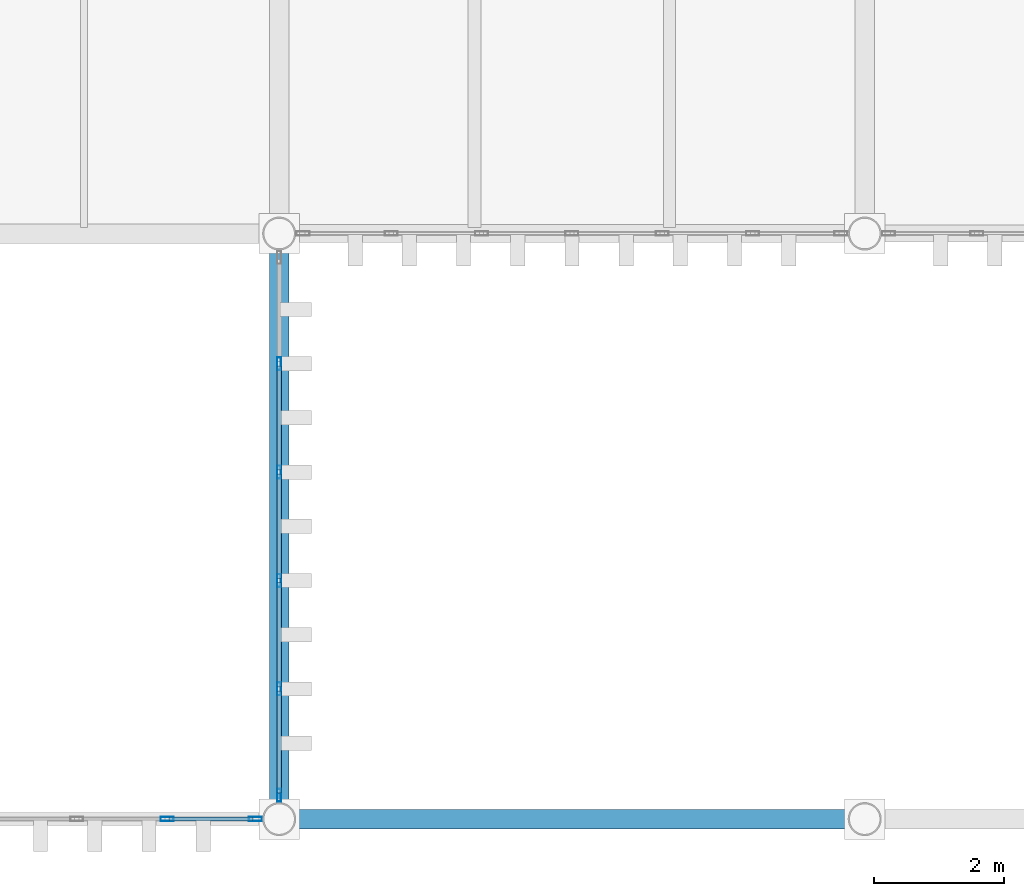
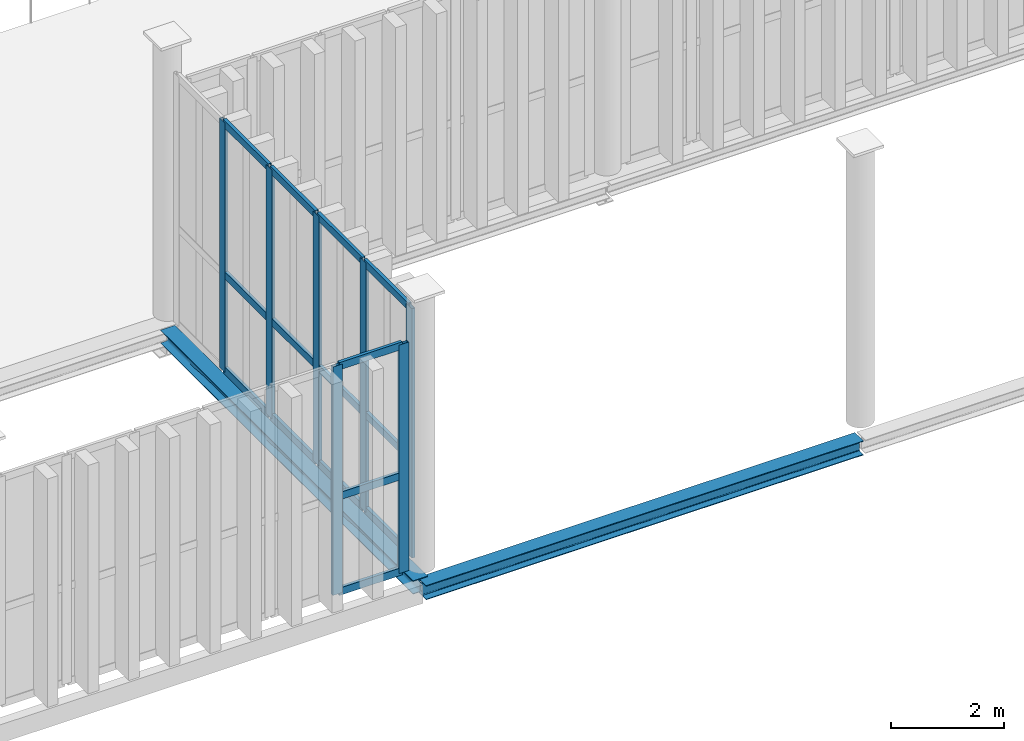
# One storey, part 30 of 211: 22 members, 2 beams, 2 elements without a shape of their own.
"""IFC4 building model written with IfcOpenShell, lengths in metres."""

from ifc_helpers import new_model, si_unit, direction, frame, origin, origin_2d, place, context, subcontext, project, spatial, hollow_rectangle, i_section, extrude, material, layer, layer_set, material_profile, profile_set, type_object, element, aggregate, save


model = new_model("IFC4")

# Units and contexts
model_context = context("Model", 3, precision=1e-05, world=origin(), true_north=direction((0.0, 1.0)))
body_context = subcontext(model_context, "Body", "Model", "MODEL_VIEW")
ifc_project = project(units=[si_unit("LENGTHUNIT", "METRE"), si_unit("AREAUNIT", "SQUARE_METRE"), si_unit("VOLUMEUNIT", "CUBIC_METRE"), si_unit("PLANEANGLEUNIT", "RADIAN"), si_unit("MASSUNIT", "GRAM", prefix="KILO")], contexts=[model_context])

# Site, building, storey
site_placement = place(None, origin())
site = spatial("IfcSite", under=ifc_project, at=site_placement, CompositionType="ELEMENT")
building_placement = place(site_placement, origin())
building = spatial("IfcBuilding", under=site, at=building_placement, Name="Barlavento Convention Centre", CompositionType="ELEMENT")
storey_placement = place(building_placement, frame((0.0, 0.0, 6.0)))
storey = spatial("IfcBuildingStorey", under=building, at=storey_placement, Name="L01", CompositionType="ELEMENT", Elevation=6.0)

# Curtain wall, members
ifc_material_1 = material(Name="Powder-coated aluminium and Low-E glass", Category="aluminium")
ifc_layer = layer(ifc_material_1, 0.18505859375)
ifc_layer_set = layer_set([ifc_layer], Name="ARC-CW-CONG-L01")
curtain_wall_type = type_object("IfcCurtainWallType", Name="ARC-CW-CONG-L01", PredefinedType="NOTDEFINED", material=ifc_layer_set)
curtain_wall_1_placement = place(storey_placement, origin())
curtain_wall_1 = element("IfcCurtainWall", 1, at=curtain_wall_1_placement, inside=storey, type_object=curtain_wall_type, Name="L01 unitised curtain wall CW01", PredefinedType="NOTDEFINED")
ifc_material_2 = material(Name="Powder-coated aluminium", Category="aluminium")
ifc_material_profile_1 = material_profile(ifc_material_2, hollow_rectangle(XDim=0.06494140625, YDim=0.199951171875, WallThickness=0.0048828125, at=origin_2d()), Name="AL-MULL 65x200x5")
ifc_profile_set_1 = profile_set([ifc_material_profile_1], Name="Powder-coated aluminium")
member_type_1 = type_object("IfcMemberType", Name="ARC-CWM-65X200", PredefinedType="MULLION", material=ifc_profile_set_1)
member_1_placement = place(storey_placement, frame((16.27734375, 0.0, 0.0), z_axis=(0.0, 0.0, 1.0), x_axis=(0.0, 1.0, 0.0)))
member_1 = element("IfcMember", 2, at=member_1_placement, type_object=member_type_1, Name="CW01 mullion 6", PredefinedType="MULLION", context=body_context, shape_type="SweptSolid", body=[
    extrude(hollow_rectangle(XDim=0.06494140625, YDim=0.199951171875, WallThickness=0.0048828125, at=origin_2d()), origin(), (0.0, 0.0, 1.0), 4.949951171875),
])
member_2_placement = place(storey_placement, frame((17.633544921875, 0.0, 0.0), z_axis=(0.0, 0.0, 1.0), x_axis=(0.0, 1.0, 0.0)))
member_2 = element("IfcMember", 3, at=member_2_placement, type_object=member_type_1, Name="CW01 mullion 7", PredefinedType="MULLION", context=body_context, shape_type="SweptSolid", body=[
    extrude(hollow_rectangle(XDim=0.06494140625, YDim=0.199951171875, WallThickness=0.0048828125, at=origin_2d()), origin(), (0.0, 0.0, 1.0), 4.949951171875),
])

curtain_wall_2_placement = place(storey_placement, origin())
curtain_wall_2 = element("IfcCurtainWall", 4, at=curtain_wall_2_placement, inside=storey, type_object=curtain_wall_type, Name="L01 unitised curtain wall CW01", PredefinedType="NOTDEFINED")
member_3_placement = place(storey_placement, frame((18.0, 0.366455078125, 0.0), z_axis=(0.0, 0.0, 1.0), x_axis=(-1.0, 0.0, 0.0)))
member_3 = element("IfcMember", 5, at=member_3_placement, type_object=member_type_1, Name="CW01 mullion 1", PredefinedType="MULLION", context=body_context, shape_type="SweptSolid", body=[
    extrude(hollow_rectangle(XDim=0.06494140625, YDim=0.199951171875, WallThickness=0.0048828125, at=origin_2d()), origin(), (0.0, 0.0, 1.0), 5.39990234375),
])
member_4_placement = place(storey_placement, frame((18.0, 2.00048828125, 0.0), z_axis=(0.0, 0.0, 1.0), x_axis=(-1.0, 0.0, 0.0)))
member_4 = element("IfcMember", 6, at=member_4_placement, type_object=member_type_1, Name="CW01 mullion 2", PredefinedType="MULLION", context=body_context, shape_type="SweptSolid", body=[
    extrude(hollow_rectangle(XDim=0.06494140625, YDim=0.199951171875, WallThickness=0.0048828125, at=origin_2d()), origin(), (0.0, 0.0, 1.0), 5.39990234375),
])
member_5_placement = place(storey_placement, frame((18.0, 3.666748046875, 0.0), z_axis=(0.0, 0.0, 1.0), x_axis=(-1.0, 0.0, 0.0)))
member_5 = element("IfcMember", 7, at=member_5_placement, type_object=member_type_1, Name="CW01 mullion 3", PredefinedType="MULLION", context=body_context, shape_type="SweptSolid", body=[
    extrude(hollow_rectangle(XDim=0.06494140625, YDim=0.199951171875, WallThickness=0.0048828125, at=origin_2d()), origin(), (0.0, 0.0, 1.0), 5.39990234375),
])
member_6_placement = place(storey_placement, frame((18.0, 5.333251953125, 0.0), z_axis=(0.0, 0.0, 1.0), x_axis=(-1.0, 0.0, 0.0)))
member_6 = element("IfcMember", 8, at=member_6_placement, type_object=member_type_1, Name="CW01 mullion 4", PredefinedType="MULLION", context=body_context, shape_type="SweptSolid", body=[
    extrude(hollow_rectangle(XDim=0.06494140625, YDim=0.199951171875, WallThickness=0.0048828125, at=origin_2d()), origin(), (0.0, 0.0, 1.0), 5.39990234375),
])
member_7_placement = place(storey_placement, frame((18.0, 6.99951171875, 0.0), z_axis=(0.0, 0.0, 1.0), x_axis=(-1.0, 0.0, 0.0)))
member_7 = element("IfcMember", 9, at=member_7_placement, type_object=member_type_1, Name="CW01 mullion 5", PredefinedType="MULLION", context=body_context, shape_type="SweptSolid", body=[
    extrude(hollow_rectangle(XDim=0.06494140625, YDim=0.199951171875, WallThickness=0.0048828125, at=origin_2d()), origin(), (0.0, 0.0, 1.0), 5.39990234375),
])

# Member
ifc_material_profile_2 = material_profile(ifc_material_2, hollow_rectangle(XDim=0.06494140625, YDim=0.159912109375, WallThickness=0.0048828125, at=origin_2d()), Name="AL-TRAN 65x160x5")
ifc_profile_set_2 = profile_set([ifc_material_profile_2], Name="Powder-coated aluminium")
member_type_2 = type_object("IfcMemberType", Name="ARC-CWT-65X160", PredefinedType="USERDEFINED", material=ifc_profile_set_2)
member_8_placement = place(storey_placement, frame((16.309814453125, 0.0, 0.032470703125), z_axis=(1.0, 0.0, 0.0), x_axis=(0.0, 1.0, 0.0)))
member_8 = element("IfcMember", 10, at=member_8_placement, type_object=member_type_2, Name="CW01 transom 6.1", ObjectType="TRANSOM", PredefinedType="USERDEFINED", context=body_context, shape_type="SweptSolid", body=[
    extrude(hollow_rectangle(XDim=0.06494140625, YDim=0.159912109375, WallThickness=0.0048828125, at=origin_2d()), origin(), (0.0, 0.0, 1.0), 1.291259765625),
])

member_9_placement = place(storey_placement, frame((16.309814453125, 0.0, 2.10009765625), z_axis=(1.0, 0.0, 0.0), x_axis=(0.0, 1.0, 0.0)))
member_9 = element("IfcMember", 11, at=member_9_placement, type_object=member_type_2, Name="CW01 transom 6.2", ObjectType="TRANSOM", PredefinedType="USERDEFINED", context=body_context, shape_type="SweptSolid", body=[
    extrude(hollow_rectangle(XDim=0.06494140625, YDim=0.159912109375, WallThickness=0.0048828125, at=origin_2d()), origin(), (0.0, 0.0, 1.0), 1.291259765625),
])

member_10_placement = place(storey_placement, frame((16.309814453125, 0.0, 4.91748046875), z_axis=(1.0, 0.0, 0.0), x_axis=(0.0, 1.0, 0.0)))
member_10 = element("IfcMember", 12, at=member_10_placement, type_object=member_type_2, Name="CW01 transom 6.3", ObjectType="TRANSOM", PredefinedType="USERDEFINED", context=body_context, shape_type="SweptSolid", body=[
    extrude(hollow_rectangle(XDim=0.06494140625, YDim=0.159912109375, WallThickness=0.0048828125, at=origin_2d()), origin(), (0.0, 0.0, 1.0), 1.291259765625),
])

aggregate(curtain_wall_1, [member_1, member_2, member_8, member_9, member_10])

member_11_placement = place(storey_placement, frame((18.0, 0.39892578125, 0.032470703125), z_axis=(0.0, 1.0, 0.0), x_axis=(-1.0, 0.0, 0.0)))
member_11 = element("IfcMember", 13, at=member_11_placement, type_object=member_type_2, Name="CW01 transom 1.1", ObjectType="TRANSOM", PredefinedType="USERDEFINED", context=body_context, shape_type="SweptSolid", body=[
    extrude(hollow_rectangle(XDim=0.06494140625, YDim=0.159912109375, WallThickness=0.0048828125, at=origin_2d()), origin(), (0.0, 0.0, 1.0), 1.569091796875),
])

member_12_placement = place(storey_placement, frame((18.0, 0.39892578125, 2.10009765625), z_axis=(0.0, 1.0, 0.0), x_axis=(-1.0, 0.0, 0.0)))
member_12 = element("IfcMember", 14, at=member_12_placement, type_object=member_type_2, Name="CW01 transom 1.2", ObjectType="TRANSOM", PredefinedType="USERDEFINED", context=body_context, shape_type="SweptSolid", body=[
    extrude(hollow_rectangle(XDim=0.06494140625, YDim=0.159912109375, WallThickness=0.0048828125, at=origin_2d()), origin(), (0.0, 0.0, 1.0), 1.569091796875),
])

member_13_placement = place(storey_placement, frame((18.0, 0.39892578125, 5.367431640625), z_axis=(0.0, 1.0, 0.0), x_axis=(-1.0, 0.0, 0.0)))
member_13 = element("IfcMember", 15, at=member_13_placement, type_object=member_type_2, Name="CW01 transom 1.3", ObjectType="TRANSOM", PredefinedType="USERDEFINED", context=body_context, shape_type="SweptSolid", body=[
    extrude(hollow_rectangle(XDim=0.06494140625, YDim=0.159912109375, WallThickness=0.0048828125, at=origin_2d()), origin(), (0.0, 0.0, 1.0), 1.569091796875),
])

member_14_placement = place(storey_placement, frame((18.0, 2.032958984375, 0.032470703125), z_axis=(0.0, 1.0, 0.0), x_axis=(-1.0, 0.0, 0.0)))
member_14 = element("IfcMember", 16, at=member_14_placement, type_object=member_type_2, Name="CW01 transom 2.1", ObjectType="TRANSOM", PredefinedType="USERDEFINED", context=body_context, shape_type="SweptSolid", body=[
    extrude(hollow_rectangle(XDim=0.06494140625, YDim=0.159912109375, WallThickness=0.0048828125, at=origin_2d()), origin(), (0.0, 0.0, 1.0), 1.601318359375),
])

member_15_placement = place(storey_placement, frame((18.0, 2.032958984375, 2.10009765625), z_axis=(0.0, 1.0, 0.0), x_axis=(-1.0, 0.0, 0.0)))
member_15 = element("IfcMember", 17, at=member_15_placement, type_object=member_type_2, Name="CW01 transom 2.2", ObjectType="TRANSOM", PredefinedType="USERDEFINED", context=body_context, shape_type="SweptSolid", body=[
    extrude(hollow_rectangle(XDim=0.06494140625, YDim=0.159912109375, WallThickness=0.0048828125, at=origin_2d()), origin(), (0.0, 0.0, 1.0), 1.601318359375),
])

member_16_placement = place(storey_placement, frame((18.0, 2.032958984375, 5.367431640625), z_axis=(0.0, 1.0, 0.0), x_axis=(-1.0, 0.0, 0.0)))
member_16 = element("IfcMember", 18, at=member_16_placement, type_object=member_type_2, Name="CW01 transom 2.3", ObjectType="TRANSOM", PredefinedType="USERDEFINED", context=body_context, shape_type="SweptSolid", body=[
    extrude(hollow_rectangle(XDim=0.06494140625, YDim=0.159912109375, WallThickness=0.0048828125, at=origin_2d()), origin(), (0.0, 0.0, 1.0), 1.601318359375),
])

member_17_placement = place(storey_placement, frame((18.0, 3.69921875, 0.032470703125), z_axis=(0.0, 1.0, 0.0), x_axis=(-1.0, 0.0, 0.0)))
member_17 = element("IfcMember", 19, at=member_17_placement, type_object=member_type_2, Name="CW01 transom 3.1", ObjectType="TRANSOM", PredefinedType="USERDEFINED", context=body_context, shape_type="SweptSolid", body=[
    extrude(hollow_rectangle(XDim=0.06494140625, YDim=0.159912109375, WallThickness=0.0048828125, at=origin_2d()), origin(), (0.0, 0.0, 1.0), 1.6015625),
])

member_18_placement = place(storey_placement, frame((18.0, 3.69921875, 2.10009765625), z_axis=(0.0, 1.0, 0.0), x_axis=(-1.0, 0.0, 0.0)))
member_18 = element("IfcMember", 20, at=member_18_placement, type_object=member_type_2, Name="CW01 transom 3.2", ObjectType="TRANSOM", PredefinedType="USERDEFINED", context=body_context, shape_type="SweptSolid", body=[
    extrude(hollow_rectangle(XDim=0.06494140625, YDim=0.159912109375, WallThickness=0.0048828125, at=origin_2d()), origin(), (0.0, 0.0, 1.0), 1.6015625),
])

member_19_placement = place(storey_placement, frame((18.0, 3.69921875, 5.367431640625), z_axis=(0.0, 1.0, 0.0), x_axis=(-1.0, 0.0, 0.0)))
member_19 = element("IfcMember", 21, at=member_19_placement, type_object=member_type_2, Name="CW01 transom 3.3", ObjectType="TRANSOM", PredefinedType="USERDEFINED", context=body_context, shape_type="SweptSolid", body=[
    extrude(hollow_rectangle(XDim=0.06494140625, YDim=0.159912109375, WallThickness=0.0048828125, at=origin_2d()), origin(), (0.0, 0.0, 1.0), 1.6015625),
])

member_20_placement = place(storey_placement, frame((18.0, 5.36572265625, 0.032470703125), z_axis=(0.0, 1.0, 0.0), x_axis=(-1.0, 0.0, 0.0)))
member_20 = element("IfcMember", 22, at=member_20_placement, type_object=member_type_2, Name="CW01 transom 4.1", ObjectType="TRANSOM", PredefinedType="USERDEFINED", context=body_context, shape_type="SweptSolid", body=[
    extrude(hollow_rectangle(XDim=0.06494140625, YDim=0.159912109375, WallThickness=0.0048828125, at=origin_2d()), origin(), (0.0, 0.0, 1.0), 1.601318359375),
])

member_21_placement = place(storey_placement, frame((18.0, 5.36572265625, 2.10009765625), z_axis=(0.0, 1.0, 0.0), x_axis=(-1.0, 0.0, 0.0)))
member_21 = element("IfcMember", 23, at=member_21_placement, type_object=member_type_2, Name="CW01 transom 4.2", ObjectType="TRANSOM", PredefinedType="USERDEFINED", context=body_context, shape_type="SweptSolid", body=[
    extrude(hollow_rectangle(XDim=0.06494140625, YDim=0.159912109375, WallThickness=0.0048828125, at=origin_2d()), origin(), (0.0, 0.0, 1.0), 1.601318359375),
])

member_22_placement = place(storey_placement, frame((18.0, 5.36572265625, 5.367431640625), z_axis=(0.0, 1.0, 0.0), x_axis=(-1.0, 0.0, 0.0)))
member_22 = element("IfcMember", 24, at=member_22_placement, type_object=member_type_2, Name="CW01 transom 4.3", ObjectType="TRANSOM", PredefinedType="USERDEFINED", context=body_context, shape_type="SweptSolid", body=[
    extrude(hollow_rectangle(XDim=0.06494140625, YDim=0.159912109375, WallThickness=0.0048828125, at=origin_2d()), origin(), (0.0, 0.0, 1.0), 1.601318359375),
])

aggregate(curtain_wall_2, [member_3, member_4, member_5, member_6, member_7, member_11, member_12, member_13, member_14, member_15, member_16, member_17, member_18, member_19, member_20, member_21, member_22])

# Beams
ifc_material_3 = material(Name="Steel S355", Category="steel")
ifc_material_profile_3 = material_profile(ifc_material_3, i_section(OverallWidth=0.300048828125, OverallDepth=0.2900390625, WebThickness=0.008544921875, FlangeThickness=0.013916015625, FilletRadius=0.027099609375, at=origin_2d()), Name="HEA 300")
ifc_profile_set_3 = profile_set([ifc_material_profile_3], Name="Steel S355")
beam_type_1 = type_object("IfcBeamType", Name="STR-BM-SPN-HEA300", PredefinedType="SPANDREL", material=ifc_profile_set_3)
beam_1_placement = place(storey_placement, frame((18.0, 0.02001953125, -0.445068359375), z_axis=(0.0, 1.0, 0.0), x_axis=(-1.0, 0.0, 0.0)))
element("IfcBeam", 25, at=beam_1_placement, inside=storey, type_object=beam_type_1, Name="L01 grid girder SP02", PredefinedType="SPANDREL", context=body_context, shape_type="SweptSolid", body=[
    extrude(i_section(OverallWidth=0.300048828125, OverallDepth=0.2900390625, WebThickness=0.008544921875, FlangeThickness=0.013916015625, FilletRadius=0.027099609375, at=origin_2d()), origin(), (0.0, 0.0, 1.0), 8.9599609375),
])
ifc_material_profile_4 = material_profile(ifc_material_3, i_section(OverallWidth=0.300048828125, OverallDepth=0.31005859375, WebThickness=0.009033203125, FlangeThickness=0.015380859375, FilletRadius=0.027099609375, at=origin_2d()), Name="HEA 320")
ifc_profile_set_4 = profile_set([ifc_material_profile_4], Name="Steel S355")
beam_type_2 = type_object("IfcBeamType", Name="STR-BM-SPN-HEA320", PredefinedType="SPANDREL", material=ifc_profile_set_4)
beam_2_placement = place(storey_placement, frame((18.02001953125, 0.0, -0.514892578125), z_axis=(1.0, 0.0, 0.0), x_axis=(0.0, 1.0, 0.0)))
element("IfcBeam", 26, at=beam_2_placement, inside=storey, type_object=beam_type_2, Name="L01 primary girder SP01", PredefinedType="SPANDREL", context=body_context, shape_type="SweptSolid", body=[
    extrude(i_section(OverallWidth=0.300048828125, OverallDepth=0.31005859375, WebThickness=0.009033203125, FlangeThickness=0.015380859375, FilletRadius=0.027099609375, at=origin_2d()), origin(), (0.0, 0.0, 1.0), 8.9599609375),
])

save(model, "model.ifc")
